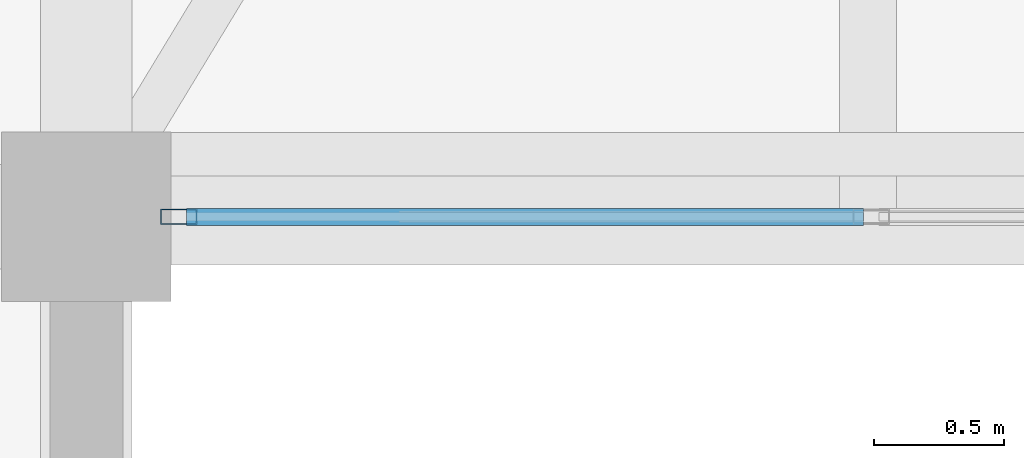
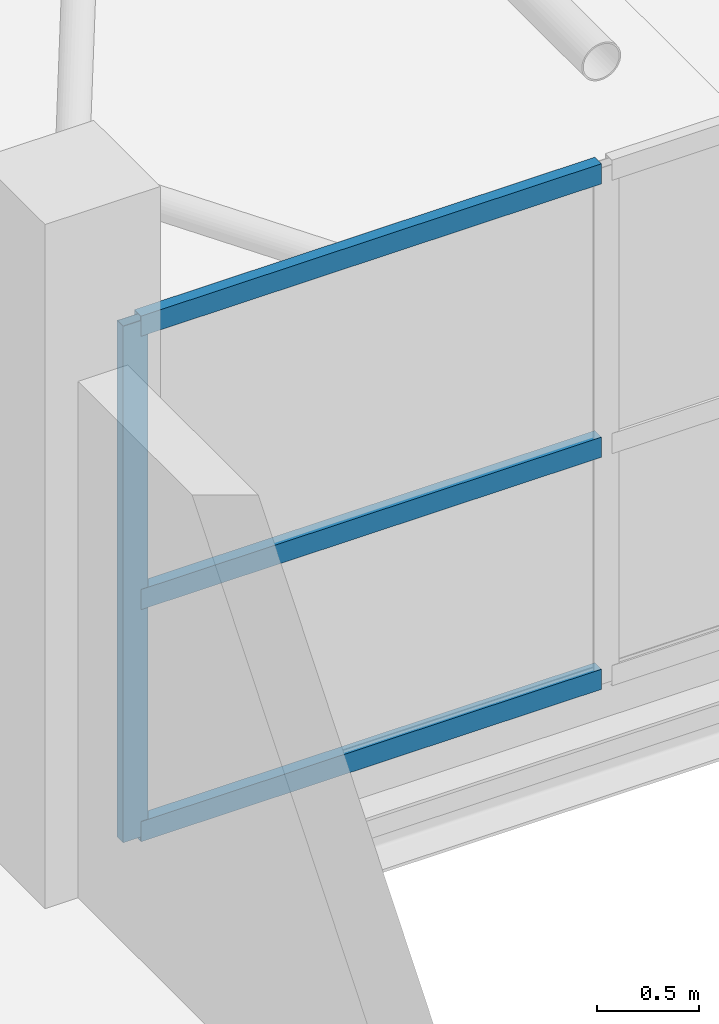
# One storey, part 10 of 70: 4 members, 1 element without a shape of its own.
"""IFC4 building model written with IfcOpenShell, lengths in metres."""

from ifc_helpers import new_model, si_unit, direction, frame, origin, origin_2d, place, context, subcontext, project, spatial, hollow_rectangle, extrude, material, layer, layer_set, material_profile, profile_set, type_object, element, aggregate, save


model = new_model("IFC4")

# Units and contexts
model_context = context("Model", 3, precision=1e-05, world=origin(), true_north=direction((0.0, 1.0)))
body_context = subcontext(model_context, "Body", "Model", "MODEL_VIEW")
ifc_project = project(units=[si_unit("LENGTHUNIT", "METRE"), si_unit("AREAUNIT", "SQUARE_METRE"), si_unit("VOLUMEUNIT", "CUBIC_METRE"), si_unit("PLANEANGLEUNIT", "RADIAN"), si_unit("MASSUNIT", "GRAM", prefix="KILO")], contexts=[model_context])

# Site, building, storey
site_placement = place(None, origin())
site = spatial("IfcSite", under=ifc_project, at=site_placement, CompositionType="ELEMENT")
building_placement = place(site_placement, origin())
building = spatial("IfcBuilding", under=site, at=building_placement, Name="Sillaruma Civic Art Gallery", CompositionType="ELEMENT")
storey_placement = place(building_placement, frame((0.0, 0.0, 66.300048828125)))
storey = spatial("IfcBuildingStorey", under=building, at=storey_placement, Name="L13", CompositionType="ELEMENT", Elevation=66.300048828125)

# Curtain wall, members
ifc_material = material(Name="Thermally Broken Extruded Aluminium 6063-T6", Category="aluminium")
ifc_layer = layer(ifc_material, 0.139892578125, Name="Thermally Broken Extruded Aluminium 6063-T6")
ifc_layer_set = layer_set([ifc_layer], Name="Thermally Broken Extruded Aluminium 6063-T6")
curtain_wall_type = type_object("IfcCurtainWallType", Name="CW-UNI-108", PredefinedType="NOTDEFINED", material=ifc_layer_set)
curtain_wall_placement = place(storey_placement, origin())
curtain_wall = element("IfcCurtainWall", 1, at=curtain_wall_placement, inside=storey, type_object=curtain_wall_type, Name="Unitised Curtain Wall CW-108 (CW-BRG-S-L13-S)", PredefinedType="NOTDEFINED")
ifc_material_profile_1 = material_profile(ifc_material, hollow_rectangle(XDim=0.06005859375, YDim=0.139892578125, WallThickness=0.00341796875, at=origin_2d()), Name="CWM60x140")
ifc_profile_set_1 = profile_set([ifc_material_profile_1], Name="Thermally Broken Extruded Aluminium 6063-T6")
member_type_1 = type_object("IfcMemberType", Name="MEM-MUL-CWM60x140", PredefinedType="MULLION", material=ifc_profile_set_1)
member_1_placement = place(storey_placement, frame((92.35498046875, 39.60009765625, 0.0), z_axis=(0.0, 0.0, 1.0), x_axis=(0.0, 1.0, 0.0)))
member_1 = element("IfcMember", 2, at=member_1_placement, type_object=member_type_1, Name="CW-108 mullion 1", PredefinedType="MULLION", context=body_context, shape_type="SweptSolid", body=[
    extrude(hollow_rectangle(XDim=0.06005859375, YDim=0.139892578125, WallThickness=0.00341796875, at=origin_2d()), origin(), (0.0, 0.0, 1.0), 3.079833984375),
])
ifc_material_profile_2 = material_profile(ifc_material, hollow_rectangle(XDim=0.06494140625, YDim=0.1201171875, WallThickness=0.00341796875, at=origin_2d()), Name="CWT65x120")
ifc_profile_set_2 = profile_set([ifc_material_profile_2], Name="Thermally Broken Extruded Aluminium 6063-T6")
member_type_2 = type_object("IfcMemberType", Name="MEM-TRN-CWT65x120", PredefinedType="USERDEFINED", material=ifc_profile_set_2)
member_2_placement = place(storey_placement, frame((92.385009765625, 39.60009765625, 0.032470703125), z_axis=(1.0, 0.0, 0.0), x_axis=(0.0, 1.0, 0.0)))
member_2 = element("IfcMember", 3, at=member_2_placement, type_object=member_type_2, Name="CW-108 transom 1.1", ObjectType="TRANSOM", PredefinedType="USERDEFINED", context=body_context, shape_type="SweptSolid", body=[
    extrude(hollow_rectangle(XDim=0.06494140625, YDim=0.1201171875, WallThickness=0.00341796875, at=origin_2d()), origin(), (0.0, 0.0, 1.0), 2.597412109375),
])
member_3_placement = place(storey_placement, frame((92.385009765625, 39.60009765625, 1.416748046875), z_axis=(1.0, 0.0, 0.0), x_axis=(0.0, 1.0, 0.0)))
member_3 = element("IfcMember", 4, at=member_3_placement, type_object=member_type_2, Name="CW-108 transom 1.2", ObjectType="TRANSOM", PredefinedType="USERDEFINED", context=body_context, shape_type="SweptSolid", body=[
    extrude(hollow_rectangle(XDim=0.06494140625, YDim=0.1201171875, WallThickness=0.00341796875, at=origin_2d()), origin(), (0.0, 0.0, 1.0), 2.597412109375),
])
member_4_placement = place(storey_placement, frame((92.385009765625, 39.60009765625, 3.04736328125), z_axis=(1.0, 0.0, 0.0), x_axis=(0.0, 1.0, 0.0)))
member_4 = element("IfcMember", 5, at=member_4_placement, type_object=member_type_2, Name="CW-108 transom 1.3", ObjectType="TRANSOM", PredefinedType="USERDEFINED", context=body_context, shape_type="SweptSolid", body=[
    extrude(hollow_rectangle(XDim=0.06494140625, YDim=0.1201171875, WallThickness=0.00341796875, at=origin_2d()), origin(), (0.0, 0.0, 1.0), 2.597412109375),
])
aggregate(curtain_wall, [member_1, member_2, member_3, member_4])

save(model, "model.ifc")
